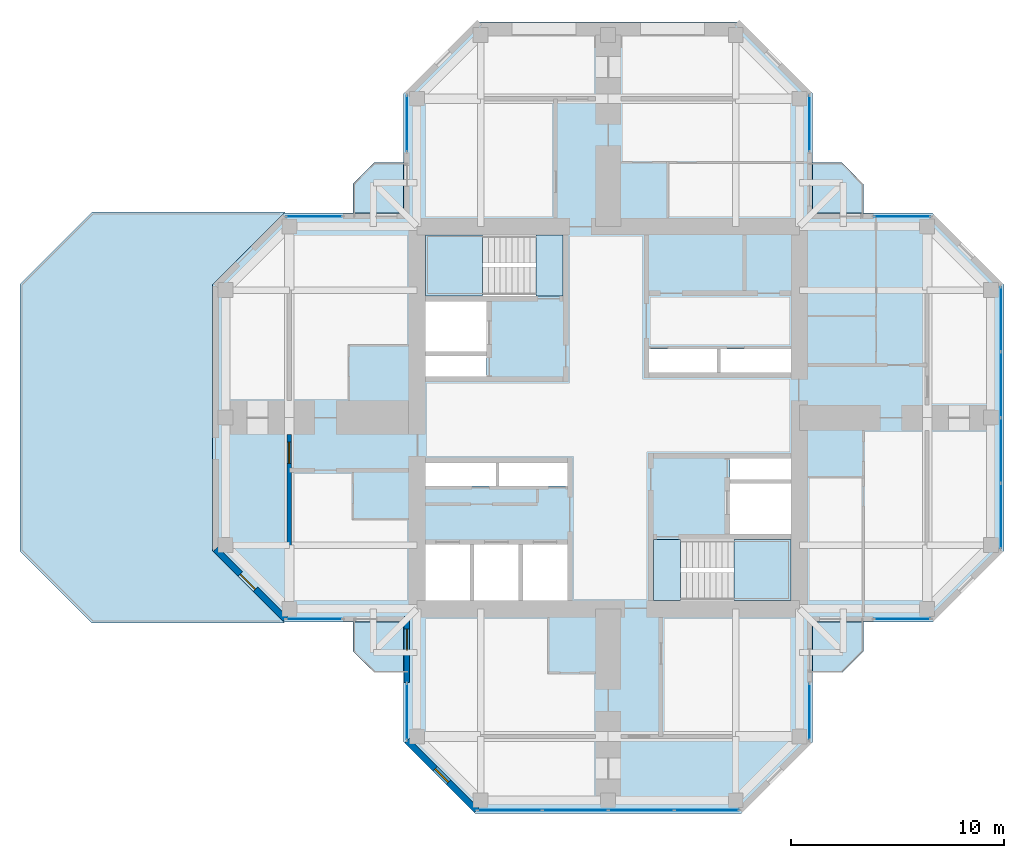
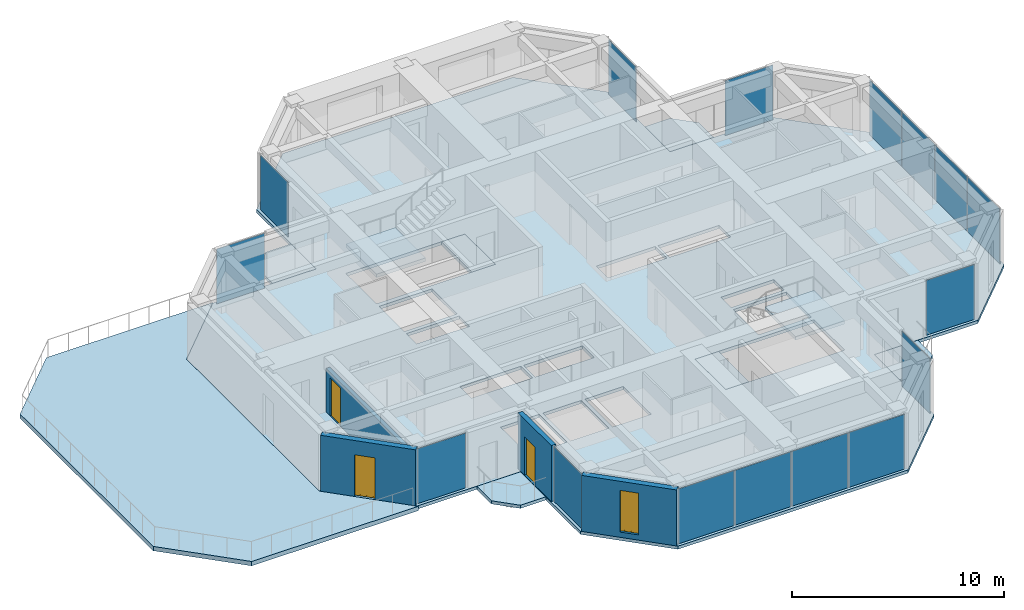
# One storey, part 7 of 14: 16 plates, 10 slabs, 4 walls, 3 doors, 1 window, 4 openings, 12 elements without a shape of their own.
"""IFC4 building model written with IfcOpenShell, lengths in metres."""

from ifc_helpers import new_model, si_unit, direction, frame, frame_2d, origin, origin_2d, place, context, subcontext, project, spatial, polyline, rectangle, hollow_rectangle, outline, extrude, material, layer, layer_set, constituent, constituent_set, type_object, element, fill, aggregate, save


model = new_model("IFC4")

# Units and contexts
model_context = context("Model", 3, precision=1e-05, world=origin(), true_north=direction((0.0, 1.0)))
body_context = subcontext(model_context, "Body", "Model", "MODEL_VIEW")
ifc_project = project(units=[si_unit("LENGTHUNIT", "METRE"), si_unit("AREAUNIT", "SQUARE_METRE"), si_unit("VOLUMEUNIT", "CUBIC_METRE"), si_unit("PLANEANGLEUNIT", "RADIAN"), si_unit("MASSUNIT", "GRAM", prefix="KILO")], contexts=[model_context])

# Site, building, storey
site_placement = place(None, origin())
site = spatial("IfcSite", under=ifc_project, at=site_placement, CompositionType="ELEMENT")
building_placement = place(site_placement, origin())
building = spatial("IfcBuilding", under=site, at=building_placement, Name="Torre Cruceta", CompositionType="ELEMENT")
storey_placement = place(building_placement, frame((0.0, 0.0, 257.699951171875)))
storey = spatial("IfcBuildingStorey", under=building, at=storey_placement, Name="L66", CompositionType="ELEMENT", Elevation=257.699951171875)

# Slabs
ifc_material_1 = material(Name="Concrete G35 (fck 35 MPa)", Category="concrete")
ifc_layer_1 = layer(ifc_material_1, 0.179931640625)
ifc_layer_set_1 = layer_set([ifc_layer_1], Name="Concrete G35 (fck 35 MPa)")
slab_type_1 = type_object("IfcSlabType", Name="BALCONY SLAB 180", PredefinedType="USERDEFINED", material=ifc_layer_set_1)
slab_1_placement = place(storey_placement, frame((0.0, 0.0, -0.179931640625)))
element("IfcSlab", 1, at=slab_1_placement, inside=storey, type_object=slab_type_1, Name="Balcony slab L66 N", ObjectType="BALCONY", PredefinedType="USERDEFINED", context=body_context, shape_type="SweptSolid", body=[
    extrude(outline(polyline([(-12.0, 11.0), (-11.0, 12.0), (-9.6201171875, 12.0), (-9.6201171875, 9.6201171875), (-12.0, 9.6201171875), (-12.0, 11.0)])), origin(), (0.0, 0.0, 1.0), 0.179931640625),
])
slab_2_placement = place(storey_placement, frame((0.0, 0.0, -0.179931640625)))
element("IfcSlab", 2, at=slab_2_placement, inside=storey, type_object=slab_type_1, Name="Balcony slab L66 E", ObjectType="BALCONY", PredefinedType="USERDEFINED", context=body_context, shape_type="SweptSolid", body=[
    extrude(outline(polyline([(11.0, 12.0), (12.0, 11.0), (12.0, 9.6201171875), (9.6201171875, 9.6201171875), (9.6201171875, 12.0), (11.0, 12.0)])), origin(), (0.0, 0.0, 1.0), 0.179931640625),
])
slab_3_placement = place(storey_placement, frame((0.0, 0.0, -0.179931640625)))
element("IfcSlab", 3, at=slab_3_placement, inside=storey, type_object=slab_type_1, Name="Balcony slab L66 S", ObjectType="BALCONY", PredefinedType="USERDEFINED", context=body_context, shape_type="SweptSolid", body=[
    extrude(outline(polyline([(12.0, -11.0), (11.0, -12.0), (9.6201171875, -12.0), (9.6201171875, -9.6201171875), (12.0, -9.6201171875), (12.0, -11.0)])), origin(), (0.0, 0.0, 1.0), 0.179931640625),
])
slab_4_placement = place(storey_placement, frame((0.0, 0.0, -0.179931640625)))
element("IfcSlab", 4, at=slab_4_placement, inside=storey, type_object=slab_type_1, Name="Balcony slab L66 W", ObjectType="BALCONY", PredefinedType="USERDEFINED", context=body_context, shape_type="SweptSolid", body=[
    extrude(outline(polyline([(-11.0, -12.0), (-12.0, -11.0), (-12.0, -9.6201171875), (-9.6201171875, -9.6201171875), (-9.6201171875, -12.0), (-11.0, -12.0)])), origin(), (0.0, 0.0, 1.0), 0.179931640625),
])

# Curtain wall, plate
ifc_material_2 = material(Name="Aluminium unitised curtain wall", Category="aluminium")
curtain_wall_type = type_object("IfcCurtainWallType", Name="CURTAIN WALL CW-E CO-LIVING TOP", PredefinedType="USERDEFINED", material=ifc_material_2)
curtain_wall_1_placement = place(storey_placement, origin())
curtain_wall_1 = element("IfcCurtainWall", 5, at=curtain_wall_1_placement, inside=storey, type_object=curtain_wall_type, Name="CW-E L66 E tip 02", ObjectType="UNITISED", PredefinedType="USERDEFINED")
ifc_material_3 = material(Name="Laminated insulating glass unit, low-iron clear", Category="glass")
ifc_material_4 = material(Name="Laminated insulating glass unit, diagonal frit 50 %", Category="glass")
ifc_layer_2 = layer(ifc_material_4, 0.028076171875)
ifc_layer_set_2 = layer_set([ifc_layer_2], Name="Laminated insulating glass unit, diagonal frit 50 %")
plate_type_1 = type_object("IfcPlateType", Name="CW-E OPERABLE VENT PANEL 28", PredefinedType="CURTAIN_PANEL", material=ifc_layer_set_2)
plate_1_placement = place(storey_placement, frame((18.469970703125, -1.548583984375, 0.01025390625), z_axis=(0.0, 0.0, 1.0), x_axis=(0.0, 1.0, 0.0)))
plate_1 = element("IfcPlate", 6, at=plate_1_placement, type_object=plate_type_1, material=ifc_material_3, Name="CW-E vent 2", PredefinedType="CURTAIN_PANEL", context=body_context, shape_type="SweptSolid", body=[
    extrude(rectangle(XDim=3.042236328125, YDim=0.028076171875, at=origin_2d()), origin(), (0.0, 0.0, 1.0), 3.155029296875),
])

curtain_wall_2_placement = place(storey_placement, origin())
curtain_wall_2 = element("IfcCurtainWall", 7, at=curtain_wall_2_placement, inside=storey, type_object=curtain_wall_type, Name="CW-E L66 S tip 17", ObjectType="UNITISED", PredefinedType="USERDEFINED")
plate_2_placement = place(storey_placement, frame((-1.548583984375, -18.469970703125, 0.01025390625), z_axis=(0.0, 0.0, 1.0), x_axis=(1.0, 0.0, 0.0)))
plate_2 = element("IfcPlate", 8, at=plate_2_placement, type_object=plate_type_1, material=ifc_material_3, Name="CW-E vent 2", PredefinedType="CURTAIN_PANEL", context=body_context, shape_type="SweptSolid", body=[
    extrude(rectangle(XDim=3.042236328125, YDim=0.028076171875, at=origin_2d()), origin(), (0.0, 0.0, 1.0), 3.155029296875),
])

curtain_wall_3_placement = place(storey_placement, origin())
curtain_wall_3 = element("IfcCurtainWall", 9, at=curtain_wall_3_placement, inside=storey, type_object=curtain_wall_type, Name="CW-E L66 E side 00", ObjectType="UNITISED", PredefinedType="USERDEFINED")
ifc_material_5 = material(Name="Laminated insulating glass unit, diagonal frit 50 %", Category="glass")
ifc_layer_3 = layer(ifc_material_5, 0.028076171875)
ifc_layer_set_3 = layer_set([ifc_layer_3], Name="Laminated insulating glass unit, diagonal frit 50 %")
plate_type_2 = type_object("IfcPlateType", Name="CW-E PANEL 28", PredefinedType="CURTAIN_PANEL", material=ifc_layer_set_3)
plate_3_placement = place(storey_placement, frame((13.832275390625, -9.469970703125, 0.01025390625), z_axis=(0.0, 0.0, 1.0), x_axis=(1.0, 0.0, 0.0)))
plate_3 = element("IfcPlate", 10, at=plate_3_placement, type_object=plate_type_2, material=ifc_material_3, Name="CW-E panel 1", PredefinedType="CURTAIN_PANEL", context=body_context, shape_type="SweptSolid", body=[
    extrude(rectangle(XDim=2.61474609375, YDim=0.028076171875, at=origin_2d()), origin(), (0.0, 0.0, 1.0), 3.155029296875),
])
aggregate(curtain_wall_3, [plate_3])

# Plate
plate_4_placement = place(storey_placement, frame((18.469970703125, -4.63232421875, 0.01025390625), z_axis=(0.0, 0.0, 1.0), x_axis=(0.0, 1.0, 0.0)))
plate_4 = element("IfcPlate", 11, at=plate_4_placement, type_object=plate_type_2, material=ifc_material_3, Name="CW-E panel 1", PredefinedType="CURTAIN_PANEL", context=body_context, shape_type="SweptSolid", body=[
    extrude(rectangle(XDim=3.014892578125, YDim=0.028076171875, at=origin_2d()), origin(), (0.0, 0.0, 1.0), 3.155029296875),
])

ifc_material_6 = material(Name="Laminated insulating glass unit, diagonal frit 50 %", Category="glass")
plate_5_placement = place(storey_placement, frame((18.469970703125, 1.548583984375, 0.01025390625), z_axis=(0.0, 0.0, 1.0), x_axis=(0.0, 1.0, 0.0)))
plate_5 = element("IfcPlate", 12, at=plate_5_placement, type_object=plate_type_2, material=ifc_material_6, Name="CW-E panel 3", PredefinedType="CURTAIN_PANEL", context=body_context, shape_type="SweptSolid", body=[
    extrude(rectangle(XDim=3.042236328125, YDim=0.028076171875, at=origin_2d()), origin(), (0.0, 0.0, 1.0), 3.155029296875),
])

plate_6_placement = place(storey_placement, frame((18.469970703125, 4.63232421875, 0.01025390625), z_axis=(0.0, 0.0, 1.0), x_axis=(0.0, 1.0, 0.0)))
plate_6 = element("IfcPlate", 13, at=plate_6_placement, type_object=plate_type_2, material=ifc_material_6, Name="CW-E panel 4", PredefinedType="CURTAIN_PANEL", context=body_context, shape_type="SweptSolid", body=[
    extrude(rectangle(XDim=3.014892578125, YDim=0.028076171875, at=origin_2d()), origin(), (0.0, 0.0, 1.0), 3.155029296875),
])

aggregate(curtain_wall_1, [plate_4, plate_1, plate_5, plate_6])

# Curtain wall, plate
curtain_wall_4_placement = place(storey_placement, origin())
curtain_wall_4 = element("IfcCurtainWall", 14, at=curtain_wall_4_placement, inside=storey, type_object=curtain_wall_type, Name="CW-E L66 E side 04", ObjectType="UNITISED", PredefinedType="USERDEFINED")
plate_7_placement = place(storey_placement, frame((13.832275390625, 9.469970703125, 0.01025390625), z_axis=(0.0, 0.0, 1.0), x_axis=(-1.0, 0.0, 0.0)))
plate_7 = element("IfcPlate", 15, at=plate_7_placement, type_object=plate_type_2, material=ifc_material_3, Name="CW-E panel 1", PredefinedType="CURTAIN_PANEL", context=body_context, shape_type="SweptSolid", body=[
    extrude(rectangle(XDim=2.61474609375, YDim=0.028076171875, at=origin_2d()), origin(), (0.0, 0.0, 1.0), 3.155029296875),
])
aggregate(curtain_wall_4, [plate_7])

curtain_wall_5_placement = place(storey_placement, origin())
curtain_wall_5 = element("IfcCurtainWall", 16, at=curtain_wall_5_placement, inside=storey, type_object=curtain_wall_type, Name="CW-E L66 N side 05", ObjectType="UNITISED", PredefinedType="USERDEFINED")
plate_8_placement = place(storey_placement, frame((9.469970703125, 13.832275390625, 0.01025390625), z_axis=(0.0, 0.0, 1.0), x_axis=(0.0, 1.0, 0.0)))
plate_8 = element("IfcPlate", 17, at=plate_8_placement, type_object=plate_type_2, material=ifc_material_3, Name="CW-E panel 1", PredefinedType="CURTAIN_PANEL", context=body_context, shape_type="SweptSolid", body=[
    extrude(rectangle(XDim=2.61474609375, YDim=0.028076171875, at=origin_2d()), origin(), (0.0, 0.0, 1.0), 3.155029296875),
])
aggregate(curtain_wall_5, [plate_8])

curtain_wall_6_placement = place(storey_placement, origin())
curtain_wall_6 = element("IfcCurtainWall", 18, at=curtain_wall_6_placement, inside=storey, type_object=curtain_wall_type, Name="CW-E L66 N side 09", ObjectType="UNITISED", PredefinedType="USERDEFINED")
plate_9_placement = place(storey_placement, frame((-9.469970703125, 13.832275390625, 0.01025390625), z_axis=(0.0, 0.0, 1.0), x_axis=(0.0, -1.0, 0.0)))
plate_9 = element("IfcPlate", 19, at=plate_9_placement, type_object=plate_type_2, material=ifc_material_3, Name="CW-E panel 1", PredefinedType="CURTAIN_PANEL", context=body_context, shape_type="SweptSolid", body=[
    extrude(rectangle(XDim=2.61474609375, YDim=0.028076171875, at=origin_2d()), origin(), (0.0, 0.0, 1.0), 3.155029296875),
])
aggregate(curtain_wall_6, [plate_9])

curtain_wall_7_placement = place(storey_placement, origin())
curtain_wall_7 = element("IfcCurtainWall", 20, at=curtain_wall_7_placement, inside=storey, type_object=curtain_wall_type, Name="CW-E L66 W side 10", ObjectType="UNITISED", PredefinedType="USERDEFINED")
plate_10_placement = place(storey_placement, frame((-13.832275390625, 9.469970703125, 0.01025390625), z_axis=(0.0, 0.0, 1.0), x_axis=(-1.0, 0.0, 0.0)))
plate_10 = element("IfcPlate", 21, at=plate_10_placement, type_object=plate_type_2, material=ifc_material_3, Name="CW-E panel 1", PredefinedType="CURTAIN_PANEL", context=body_context, shape_type="SweptSolid", body=[
    extrude(rectangle(XDim=2.61474609375, YDim=0.028076171875, at=origin_2d()), origin(), (0.0, 0.0, 1.0), 3.155029296875),
])
aggregate(curtain_wall_7, [plate_10])

curtain_wall_8_placement = place(storey_placement, origin())
curtain_wall_8 = element("IfcCurtainWall", 22, at=curtain_wall_8_placement, inside=storey, type_object=curtain_wall_type, Name="CW-E L66 W side 14", ObjectType="UNITISED", PredefinedType="USERDEFINED")
plate_11_placement = place(storey_placement, frame((-13.832275390625, -9.469970703125, 0.01025390625), z_axis=(0.0, 0.0, 1.0), x_axis=(1.0, 0.0, 0.0)))
plate_11 = element("IfcPlate", 23, at=plate_11_placement, type_object=plate_type_2, material=ifc_material_3, Name="CW-E panel 1", PredefinedType="CURTAIN_PANEL", context=body_context, shape_type="SweptSolid", body=[
    extrude(rectangle(XDim=2.61474609375, YDim=0.028076171875, at=origin_2d()), origin(), (0.0, 0.0, 1.0), 3.155029296875),
])
aggregate(curtain_wall_8, [plate_11])

curtain_wall_9_placement = place(storey_placement, origin())
curtain_wall_9 = element("IfcCurtainWall", 24, at=curtain_wall_9_placement, inside=storey, type_object=curtain_wall_type, Name="CW-E L66 S side 15", ObjectType="UNITISED", PredefinedType="USERDEFINED")
plate_12_placement = place(storey_placement, frame((-9.469970703125, -13.832275390625, 0.01025390625), z_axis=(0.0, 0.0, 1.0), x_axis=(0.0, -1.0, 0.0)))
plate_12 = element("IfcPlate", 25, at=plate_12_placement, type_object=plate_type_2, material=ifc_material_3, Name="CW-E panel 1", PredefinedType="CURTAIN_PANEL", context=body_context, shape_type="SweptSolid", body=[
    extrude(rectangle(XDim=2.61474609375, YDim=0.028076171875, at=origin_2d()), origin(), (0.0, 0.0, 1.0), 3.155029296875),
])
aggregate(curtain_wall_9, [plate_12])

# Plate
plate_13_placement = place(storey_placement, frame((-4.63232421875, -18.469970703125, 0.01025390625), z_axis=(0.0, 0.0, 1.0), x_axis=(1.0, 0.0, 0.0)))
plate_13 = element("IfcPlate", 26, at=plate_13_placement, type_object=plate_type_2, material=ifc_material_3, Name="CW-E panel 1", PredefinedType="CURTAIN_PANEL", context=body_context, shape_type="SweptSolid", body=[
    extrude(rectangle(XDim=3.014892578125, YDim=0.028076171875, at=origin_2d()), origin(), (0.0, 0.0, 1.0), 3.155029296875),
])

plate_14_placement = place(storey_placement, frame((1.548583984375, -18.469970703125, 0.01025390625), z_axis=(0.0, 0.0, 1.0), x_axis=(1.0, 0.0, 0.0)))
plate_14 = element("IfcPlate", 27, at=plate_14_placement, type_object=plate_type_2, material=ifc_material_6, Name="CW-E panel 3", PredefinedType="CURTAIN_PANEL", context=body_context, shape_type="SweptSolid", body=[
    extrude(rectangle(XDim=3.042236328125, YDim=0.028076171875, at=origin_2d()), origin(), (0.0, 0.0, 1.0), 3.155029296875),
])

plate_15_placement = place(storey_placement, frame((4.63232421875, -18.469970703125, 0.01025390625), z_axis=(0.0, 0.0, 1.0), x_axis=(1.0, 0.0, 0.0)))
plate_15 = element("IfcPlate", 28, at=plate_15_placement, type_object=plate_type_2, material=ifc_material_6, Name="CW-E panel 4", PredefinedType="CURTAIN_PANEL", context=body_context, shape_type="SweptSolid", body=[
    extrude(rectangle(XDim=3.014892578125, YDim=0.028076171875, at=origin_2d()), origin(), (0.0, 0.0, 1.0), 3.155029296875),
])

aggregate(curtain_wall_2, [plate_13, plate_2, plate_14, plate_15])

# Curtain wall, plate
curtain_wall_10_placement = place(storey_placement, origin())
curtain_wall_10 = element("IfcCurtainWall", 29, at=curtain_wall_10_placement, inside=storey, type_object=curtain_wall_type, Name="CW-E L66 S side 19", ObjectType="UNITISED", PredefinedType="USERDEFINED")
plate_16_placement = place(storey_placement, frame((9.469970703125, -13.832275390625, 0.01025390625), z_axis=(0.0, 0.0, 1.0), x_axis=(0.0, 1.0, 0.0)))
plate_16 = element("IfcPlate", 30, at=plate_16_placement, type_object=plate_type_2, material=ifc_material_3, Name="CW-E panel 1", PredefinedType="CURTAIN_PANEL", context=body_context, shape_type="SweptSolid", body=[
    extrude(rectangle(XDim=2.61474609375, YDim=0.028076171875, at=origin_2d()), origin(), (0.0, 0.0, 1.0), 3.155029296875),
])
aggregate(curtain_wall_10, [plate_16])

# Slab
ifc_material_7 = material(Name="Concrete G35 (fck 35 MPa)", Category="concrete")
ifc_layer_4 = layer(ifc_material_7, 0.179931640625)
ifc_layer_set_4 = layer_set([ifc_layer_4], Name="Concrete G35 (fck 35 MPa)")
slab_type_2 = type_object("IfcSlabType", Name="FLOOR SLAB 180", PredefinedType="FLOOR", material=ifc_layer_set_4)
slab_5_placement = place(storey_placement, frame((0.0, 0.0, -0.179931640625)))
element("IfcSlab", 31, at=slab_5_placement, inside=storey, type_object=slab_type_2, Name="Floor Slab L66", PredefinedType="FLOOR", context=body_context, shape_type="SweptSolid", body=[
    extrude(outline(polyline([(9.6201171875, -9.6201171875), (9.6201171875, -15.2568359375), (6.2568359375, -18.6201171875), (-6.2568359375, -18.6201171875), (-9.6201171875, -15.2568359375), (-9.6201171875, -9.6201171875), (-15.2568359375, -9.6201171875), (-18.6201171875, -6.2568359375), (-18.6201171875, 6.2568359375), (-15.2568359375, 9.6201171875), (-9.6201171875, 9.6201171875), (-9.6201171875, 15.2568359375), (-6.2568359375, 18.6201171875), (6.2568359375, 18.6201171875), (9.6201171875, 15.2568359375), (9.6201171875, 9.6201171875), (15.2568359375, 9.6201171875), (18.6201171875, 6.2568359375), (18.6201171875, -6.2568359375), (15.2568359375, -9.6201171875), (9.6201171875, -9.6201171875)]), holes=[polyline([(1.925048828125, 2.125), (5.125, 2.125), (5.125, 3.22509765625), (1.925048828125, 3.22509765625), (1.925048828125, 2.125)]), polyline([(5.27490234375, 2.125), (8.60009765625, 2.125), (8.60009765625, 3.22509765625), (5.27490234375, 3.22509765625), (5.27490234375, 2.125)]), polyline([(-8.60009765625, 3.10009765625), (-5.72509765625, 3.10009765625), (-5.72509765625, 5.47509765625), (-8.60009765625, 5.47509765625), (-8.60009765625, 3.10009765625)]), polyline([(-8.60009765625, 1.925048828125), (-5.72509765625, 1.925048828125), (-5.72509765625, 2.89990234375), (-8.60009765625, 2.89990234375), (-8.60009765625, 1.925048828125)]), polyline([(-4.0166015625, -8.60009765625), (-1.925048828125, -8.60009765625), (-1.925048828125, -5.97509765625), (-4.0166015625, -5.97509765625), (-4.0166015625, -8.60009765625)]), polyline([(-6.308349609375, -8.60009765625), (-4.216552734375, -8.60009765625), (-4.216552734375, -5.97509765625), (-6.308349609375, -5.97509765625), (-6.308349609375, -8.60009765625)]), polyline([(-8.60009765625, -8.60009765625), (-6.50830078125, -8.60009765625), (-6.50830078125, -5.97509765625), (-8.60009765625, -5.97509765625), (-8.60009765625, -8.60009765625)]), polyline([(-5.125, -3.22509765625), (-1.925048828125, -3.22509765625), (-1.925048828125, -2.125), (-5.125, -2.125), (-5.125, -3.22509765625)]), polyline([(-8.60009765625, -3.22509765625), (-5.27490234375, -3.22509765625), (-5.27490234375, -2.125), (-8.60009765625, -2.125), (-8.60009765625, -3.22509765625)]), polyline([(5.72509765625, -5.47509765625), (8.60009765625, -5.47509765625), (8.60009765625, -3.10009765625), (5.72509765625, -3.10009765625), (5.72509765625, -5.47509765625)]), polyline([(5.72509765625, -2.89990234375), (8.60009765625, -2.89990234375), (8.60009765625, -1.925048828125), (5.72509765625, -1.925048828125), (5.72509765625, -2.89990234375)]), polyline([(-8.60009765625, 5.72509765625), (-8.60009765625, 8.60009765625), (-3.39990234375, 8.60009765625), (-2.125, 8.60009765625), (-2.125, 5.72509765625), (-3.39990234375, 5.72509765625), (-8.60009765625, 5.72509765625)]), polyline([(2.125, -5.72509765625), (3.39990234375, -5.72509765625), (8.60009765625, -5.72509765625), (8.60009765625, -8.60009765625), (3.39990234375, -8.60009765625), (2.125, -8.60009765625), (2.125, -5.72509765625)])]), origin(), (0.0, 0.0, 1.0), 0.179931640625),
])

# Stair, slab
ifc_material_8 = material(Name="Concrete G30 (fck 30 MPa)", Category="concrete")
stair_type = type_object("IfcStairType", Name="STAIR HALF-TURN 1300", PredefinedType="HALF_TURN_STAIR", material=ifc_material_8)
stair_1_placement = place(storey_placement, origin())
stair_1 = element("IfcStair", 32, at=stair_1_placement, inside=storey, type_object=stair_type, Name="Stair ST1 L66", PredefinedType="HALF_TURN_STAIR")
ifc_material_9 = material(Name="Concrete G30 (fck 30 MPa)", Category="concrete")
ifc_layer_5 = layer(ifc_material_9, 0.199951171875)
ifc_layer_set_5 = layer_set([ifc_layer_5], Name="Concrete G30 (fck 30 MPa)")
slab_type_3 = type_object("IfcSlabType", Name="STAIR LANDING 200", PredefinedType="LANDING", material=ifc_layer_set_5)
slab_6_placement = place(storey_placement, frame((0.0, 0.0, 1.5)))
slab_6 = element("IfcSlab", 33, at=slab_6_placement, type_object=slab_type_3, Name="ST1 landing 1", PredefinedType="LANDING", context=body_context, shape_type="SweptSolid", body=[
    extrude(outline(polyline([(-8.60009765625, 5.72509765625), (-5.919921875, 5.72509765625), (-5.919921875, 8.60009765625), (-8.60009765625, 8.60009765625), (-8.60009765625, 5.72509765625)])), origin(), (0.0, 0.0, 1.0), 0.199951171875),
])
aggregate(stair_1, [slab_6])

stair_2_placement = place(storey_placement, origin())
stair_2 = element("IfcStair", 34, at=stair_2_placement, inside=storey, type_object=stair_type, Name="Stair ST2 L66", PredefinedType="HALF_TURN_STAIR")
slab_7_placement = place(storey_placement, frame((0.0, 0.0, 1.5)))
slab_7 = element("IfcSlab", 35, at=slab_7_placement, type_object=slab_type_3, Name="ST2 landing 1", PredefinedType="LANDING", context=body_context, shape_type="SweptSolid", body=[
    extrude(outline(polyline([(5.919921875, -8.60009765625), (8.60009765625, -8.60009765625), (8.60009765625, -5.72509765625), (5.919921875, -5.72509765625), (5.919921875, -8.60009765625)])), origin(), (0.0, 0.0, 1.0), 0.199951171875),
])
aggregate(stair_2, [slab_7])

# Slabs
slab_8_placement = place(storey_placement, frame((0.0, 0.0, -0.199951171875)))
element("IfcSlab", 36, at=slab_8_placement, inside=storey, type_object=slab_type_3, Name="Stair ST1 floor landing L66", PredefinedType="LANDING", context=body_context, shape_type="SweptSolid", body=[
    extrude(outline(polyline([(-2.125, 8.60009765625), (-2.125, 5.72509765625), (-3.39990234375, 5.72509765625), (-3.39990234375, 8.60009765625), (-2.125, 8.60009765625)])), origin(), (0.0, 0.0, 1.0), 0.199951171875),
])
slab_9_placement = place(storey_placement, frame((0.0, 0.0, -0.199951171875)))
element("IfcSlab", 37, at=slab_9_placement, inside=storey, type_object=slab_type_3, Name="Stair ST2 floor landing L66", PredefinedType="LANDING", context=body_context, shape_type="SweptSolid", body=[
    extrude(outline(polyline([(2.125, -8.60009765625), (2.125, -5.72509765625), (3.39990234375, -5.72509765625), (3.39990234375, -8.60009765625), (2.125, -8.60009765625)])), origin(), (0.0, 0.0, 1.0), 0.199951171875),
])
ifc_material_10 = material(Name="Concrete G35 (fck 35 MPa)", Category="concrete")
ifc_layer_6 = layer(ifc_material_10, 0.25)
ifc_layer_set_6 = layer_set([ifc_layer_6], Name="Concrete G35 (fck 35 MPa)")
slab_type_4 = type_object("IfcSlabType", Name="TERRACE SLAB 250", PredefinedType="ROOF", material=ifc_layer_set_6)
slab_10_placement = place(storey_placement, frame((0.0, 0.0, -0.25)))
element("IfcSlab", 38, at=slab_10_placement, inside=storey, type_object=slab_type_4, Name="Terrace slab L66-1", PredefinedType="ROOF", context=body_context, shape_type="SweptSolid", body=[
    extrude(outline(polyline([(-24.277587890625, -9.669921875), (-27.669921875, -6.277587890625), (-27.669921875, 6.277587890625), (-24.277587890625, 9.669921875), (-15.206787109375, 9.669921875), (-15.2568359375, 9.6201171875), (-18.6201171875, 6.2568359375), (-18.6201171875, -6.2568359375), (-15.2568359375, -9.6201171875), (-15.206787109375, -9.669921875), (-24.277587890625, -9.669921875)])), origin(), (0.0, 0.0, 1.0), 0.25),
])

# Wall, opening, door
ifc_material_11 = material(Name="Concrete G30 (fck 30 MPa)", Category="concrete")
ifc_layer_7 = layer(ifc_material_11, 0.300048828125)
ifc_layer_set_7 = layer_set([ifc_layer_7], Name="Concrete G30 (fck 30 MPa)")
wall_type_1 = type_object("IfcWallType", Name="EXPOSED CONCRETE FACADE WALL 300", PredefinedType="SOLIDWALL", material=ifc_layer_set_7)
wall_1_placement = place(storey_placement, frame((-18.469970703125, -6.194580078125, 0.0), z_axis=(0.0, 0.0, 1.0), x_axis=(0.707106781187, -0.707106781187, 0.0)))
wall_1 = element("IfcWall", 39, at=wall_1_placement, inside=storey, type_object=wall_type_1, Name="EW1 facade wall L66 W chamfer 13", PredefinedType="SOLIDWALL", context=body_context, shape_type="SweptSolid", body=[
    extrude(rectangle(XDim=4.632080078125, YDim=0.300048828125, at=frame_2d((2.31591796875, 0.0))), origin(), (0.0, 0.0, 1.0), 3.219970703125),
])
opening_1_placement = place(wall_1_placement, frame((1.64990234375, 0.0, 0.0)))
opening_1 = element("IfcOpeningElement", 40, at=opening_1_placement, cuts=wall_1, Name="Opening D11", PredefinedType="OPENING", context=body_context, shape_type="SweptSolid", body=[
    extrude(rectangle(XDim=1.0, YDim=2.39990234375, at=frame_2d((0.5, 1.199951171875))), frame((0.0, 0.159912109375, 0.0), z_axis=(0.0, -1.0, 0.0), x_axis=(1.0, 0.0, 0.0)), (0.0, 0.0, 1.0), 0.320068359375),
])
ifc_material_12 = material(Name="Aluminium door frame", Category="aluminium")
ifc_constituent_1 = constituent(ifc_material_12, Name="Frame")
ifc_material_13 = material(Name="Laminated safety glass", Category="glass")
ifc_constituent_2 = constituent(ifc_material_13, Name="Glazing")
ifc_constituent_set_1 = constituent_set(constituents=[ifc_constituent_1, ifc_constituent_2], Name="Aluminium glazed door")
door_type_1 = type_object("IfcDoorType", Name="TERRACE DOOR 1000X2400", OperationType="SINGLE_SWING_LEFT", PredefinedType="DOOR", material=ifc_constituent_set_1)
door_1_placement = place(opening_1_placement, origin())
door_1 = element("IfcDoor", 41, at=door_1_placement, inside=storey, type_object=door_type_1, Name="D11 terrace door L66 W", OperationType="SINGLE_SWING_LEFT", OverallHeight=2.39990234375, OverallWidth=1.0, PredefinedType="DOOR", context=body_context, shape_type="SweptSolid", body=[
    extrude(hollow_rectangle(XDim=1.0, YDim=2.39990234375, WallThickness=0.06005859375, at=frame_2d((0.5, 1.199951171875))), frame((0.0, 0.02490234375, 0.0), z_axis=(0.0, -1.0, 0.0), x_axis=(1.0, 0.0, 0.0)), (0.0, 0.0, 1.0), 0.050048828125),
    extrude(rectangle(XDim=0.87890625, YDim=2.27880859375, at=frame_2d((0.5, 1.199951171875))), frame((0.0, 0.02490234375, 0.0), z_axis=(0.0, -1.0, 0.0), x_axis=(1.0, 0.0, 0.0)), (0.0, 0.0, 1.0), 0.050048828125),
])
fill(opening_1, door_1)

# Wall, opening, window
wall_2_placement = place(storey_placement, frame((-9.469970703125, -15.194580078125, 0.0), z_axis=(0.0, 0.0, 1.0), x_axis=(0.707106781187, -0.707106781187, 0.0)))
wall_2 = element("IfcWall", 42, at=wall_2_placement, inside=storey, type_object=wall_type_1, Name="EW1 facade wall L66 S chamfer 16", PredefinedType="SOLIDWALL", context=body_context, shape_type="SweptSolid", body=[
    extrude(rectangle(XDim=4.632080078125, YDim=0.300048828125, at=frame_2d((2.31591796875, 0.0))), origin(), (0.0, 0.0, 1.0), 3.219970703125),
])
opening_2_placement = place(wall_2_placement, frame((1.865966796875, 0.0, 0.300048828125)))
opening_2 = element("IfcOpeningElement", 43, at=opening_2_placement, cuts=wall_2, Name="Opening WN5", PredefinedType="OPENING", context=body_context, shape_type="SweptSolid", body=[
    extrude(rectangle(XDim=0.89990234375, YDim=2.39990234375, at=frame_2d((0.449951171875, 1.199951171875))), frame((0.0, 0.159912109375, 0.0), z_axis=(0.0, -1.0, 0.0), x_axis=(1.0, 0.0, 0.0)), (0.0, 0.0, 1.0), 0.320068359375),
])
ifc_material_14 = material(Name="Aluminium window frame", Category="aluminium")
ifc_constituent_3 = constituent(ifc_material_14, Name="Frame")
ifc_material_15 = material(Name="Laminated insulating glass unit, low-iron clear", Category="glass")
ifc_constituent_4 = constituent(ifc_material_15, Name="Glazing")
ifc_constituent_set_2 = constituent_set(constituents=[ifc_constituent_3, ifc_constituent_4], Name="Aluminium window")
window_type = type_object("IfcWindowType", Name="CHAMFER SLOT WINDOW 900X2400", PartitioningType="SINGLE_PANEL", PredefinedType="WINDOW", material=ifc_constituent_set_2)
window_placement = place(opening_2_placement, origin())
window = element("IfcWindow", 44, at=window_placement, inside=storey, type_object=window_type, Name="WN5 L66 S 1", OverallHeight=2.39990234375, OverallWidth=0.89990234375, PartitioningType="SINGLE_PANEL", PredefinedType="WINDOW", context=body_context, shape_type="SweptSolid", body=[
    extrude(hollow_rectangle(XDim=0.89990234375, YDim=2.39990234375, WallThickness=0.06005859375, at=frame_2d((0.449951171875, 1.199951171875))), frame((0.0, 0.030029296875, 0.0), z_axis=(0.0, -1.0, 0.0), x_axis=(1.0, 0.0, 0.0)), (0.0, 0.0, 1.0), 0.06005859375),
    extrude(rectangle(XDim=0.77880859375, YDim=2.27880859375, at=frame_2d((0.449951171875, 1.199951171875))), frame((0.0, 0.030029296875, 0.0), z_axis=(0.0, -1.0, 0.0), x_axis=(1.0, 0.0, 0.0)), (0.0, 0.0, 1.0), 0.06005859375),
])
fill(opening_2, window)

# Wall, opening, door
ifc_material_16 = material(Name="Concrete G25 (fck 25 MPa)", Category="concrete")
ifc_layer_8 = layer(ifc_material_16, 0.199951171875)
ifc_layer_set_8 = layer_set([ifc_layer_8], Name="Concrete G25 (fck 25 MPa)")
wall_type_2 = type_object("IfcWallType", Name="UNIT SEPARATING WALL 200", PredefinedType="SOLIDWALL", material=ifc_layer_set_8)
wall_3_placement = place(storey_placement, frame((-15.0, -0.800048828125, 0.0), z_axis=(0.0, 0.0, 1.0), x_axis=(0.0, -1.0, 0.0)))
wall_3 = element("IfcWall", 45, at=wall_3_placement, inside=storey, type_object=wall_type_2, Name="PT2 L66-W-ENDb", PredefinedType="SOLIDWALL", context=body_context, shape_type="SweptSolid", body=[
    extrude(rectangle(XDim=7.849853515625, YDim=0.199951171875, at=frame_2d((3.9248046875, 0.0))), origin(), (0.0, 0.0, 1.0), 2.52001953125),
])
opening_3_placement = place(wall_3_placement, frame((0.35009765625, 0.0, 0.0)))
opening_3 = element("IfcOpeningElement", 46, at=opening_3_placement, cuts=wall_3, Name="Opening D14", PredefinedType="OPENING", context=body_context, shape_type="SweptSolid", body=[
    extrude(rectangle(XDim=1.0, YDim=2.199951171875, at=frame_2d((0.5, 1.10009765625))), frame((0.0, 0.10986328125, 0.0), z_axis=(0.0, -1.0, 0.0), x_axis=(1.0, 0.0, 0.0)), (0.0, 0.0, 1.0), 0.219970703125),
])
ifc_material_17 = material(Name="Steel DX51D", Category="steel")
ifc_constituent_5 = constituent(ifc_material_17, Name="Leaf and frame")
ifc_material_18 = material(Name="Polyester powder coating", Category="paint")
ifc_constituent_6 = constituent(ifc_material_18, Name="Finish")
ifc_material_19 = material(Name="Fire-resisting glass", Category="glass")
ifc_constituent_7 = constituent(ifc_material_19, Name="Vision panel")
ifc_constituent_set_3 = constituent_set(constituents=[ifc_constituent_5, ifc_constituent_6, ifc_constituent_7], Name="Steel fire door with vision panel")
door_type_2 = type_object("IfcDoorType", Name="FIRE DOOR VISION PANEL 1000X2200", OperationType="SINGLE_SWING_RIGHT", PredefinedType="DOOR", material=ifc_constituent_set_3)
door_2_placement = place(opening_3_placement, frame((1.0, 0.0, 0.0), z_axis=(0.0, 0.0, 1.0), x_axis=(-1.0, 0.0, 0.0)))
door_2 = element("IfcDoor", 47, at=door_2_placement, inside=storey, type_object=door_type_2, Name="D14 L66-W-ENDb-D1", OperationType="SINGLE_SWING_LEFT", OverallHeight=2.199951171875, OverallWidth=1.0, PredefinedType="DOOR", context=body_context, shape_type="SweptSolid", body=[
    extrude(rectangle(XDim=1.0, YDim=2.199951171875, at=frame_2d((0.5, 1.10009765625))), frame((0.0, 0.025146484375, 0.0), z_axis=(0.0, -1.0, 0.0), x_axis=(1.0, 0.0, 0.0)), (0.0, 0.0, 1.0), 0.050048828125),
])
fill(opening_3, door_2)

ifc_material_20 = material(Name="Concrete G30 (fck 30 MPa)", Category="concrete")
ifc_layer_9 = layer(ifc_material_20, 0.25)
ifc_layer_set_9 = layer_set([ifc_layer_9], Name="Concrete G30 (fck 30 MPa)")
wall_type_3 = type_object("IfcWallType", Name="WINTER GARDEN WALL 250", PredefinedType="SOLIDWALL", material=ifc_layer_set_9)
wall_4_placement = place(storey_placement, frame((-9.469970703125, -9.344970703125, 0.0), z_axis=(0.0, 0.0, 1.0), x_axis=(0.0, -1.0, 0.0)))
wall_4 = element("IfcWall", 48, at=wall_4_placement, inside=storey, type_object=wall_type_3, Name="EW2 winter garden wall L66 15", PredefinedType="SOLIDWALL", context=body_context, shape_type="SweptSolid", body=[
    extrude(rectangle(XDim=3.125, YDim=0.25, at=frame_2d((1.5625, 0.0))), origin(), (0.0, 0.0, 1.0), 3.219970703125),
])
opening_4_placement = place(wall_4_placement, frame((0.60009765625, 0.0, 0.0)))
opening_4 = element("IfcOpeningElement", 49, at=opening_4_placement, cuts=wall_4, Name="Opening D10", PredefinedType="OPENING", context=body_context, shape_type="SweptSolid", body=[
    extrude(rectangle(XDim=1.0, YDim=2.199951171875, at=frame_2d((0.5, 1.10009765625))), frame((0.0, 0.135009765625, 0.0), z_axis=(0.0, -1.0, 0.0), x_axis=(1.0, 0.0, 0.0)), (0.0, 0.0, 1.0), 0.27001953125),
])
ifc_material_21 = material(Name="Aluminium door frame", Category="aluminium")
ifc_constituent_8 = constituent(ifc_material_21, Name="Frame")
ifc_material_22 = material(Name="Laminated safety glass", Category="glass")
ifc_constituent_9 = constituent(ifc_material_22, Name="Glazing")
ifc_constituent_set_4 = constituent_set(constituents=[ifc_constituent_8, ifc_constituent_9], Name="Aluminium glazed door")
door_type_3 = type_object("IfcDoorType", Name="BALCONY DOOR 1000X2200", OperationType="SINGLE_SWING_RIGHT", PredefinedType="DOOR", material=ifc_constituent_set_4)
door_3_placement = place(opening_4_placement, origin())
door_3 = element("IfcDoor", 50, at=door_3_placement, inside=storey, type_object=door_type_3, Name="D10 balcony door L66 15", OperationType="SINGLE_SWING_LEFT", OverallHeight=2.199951171875, OverallWidth=1.0, PredefinedType="DOOR", context=body_context, shape_type="SweptSolid", body=[
    extrude(hollow_rectangle(XDim=1.0, YDim=2.199951171875, WallThickness=0.06005859375, at=frame_2d((0.5, 1.10009765625))), frame((0.0, 0.02490234375, 0.0), z_axis=(0.0, -1.0, 0.0), x_axis=(1.0, 0.0, 0.0)), (0.0, 0.0, 1.0), 0.050048828125),
    extrude(rectangle(XDim=0.87890625, YDim=2.078857421875, at=frame_2d((0.5, 1.10009765625))), frame((0.0, 0.02490234375, 0.0), z_axis=(0.0, -1.0, 0.0), x_axis=(1.0, 0.0, 0.0)), (0.0, 0.0, 1.0), 0.050048828125),
])
fill(opening_4, door_3)

save(model, "model.ifc")
